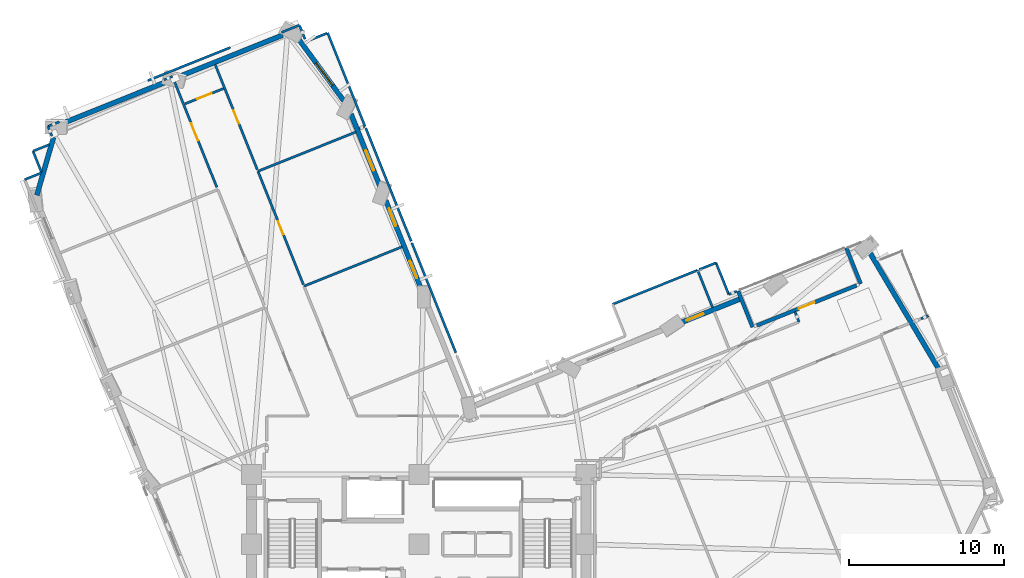
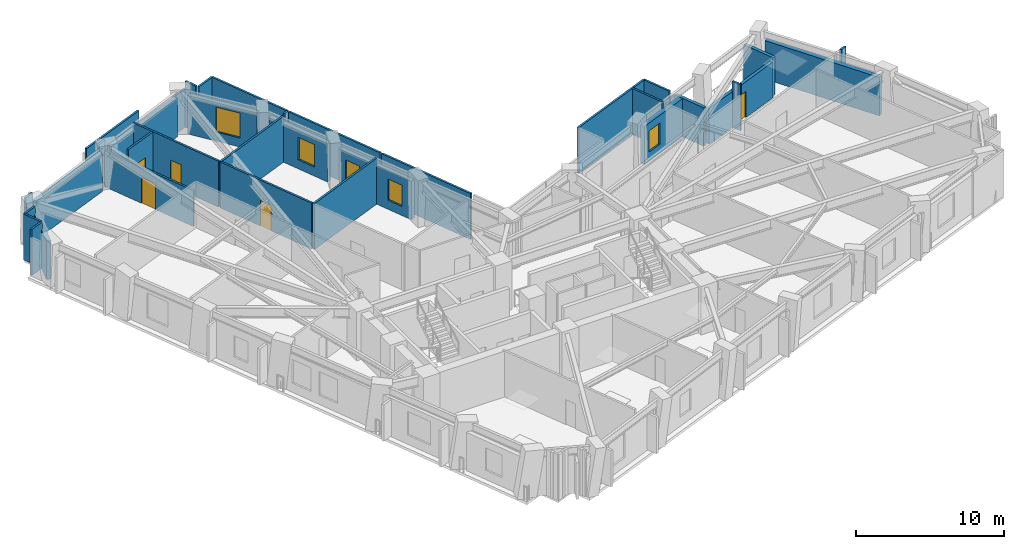
# One storey, part 11 of 16: 38 walls, 5 doors, 5 windows, 10 openings.
"""IFC4 building model written with IfcOpenShell, lengths in metres."""

import ifcopenshell
import ifcopenshell.guid

model = None  # the IFC model being written
_history = None  # IfcOwnerHistory: only IFC2X3 demands one
_inside = {}  # id of a spatial element -> (the spatial element, [elements in it])
_under = {}  # id of a project, library or spatial element -> (it, [spatial elements below it])
_declared = {}  # id of a project -> (the project, [libraries it declares])
_typed = {}  # id of a type object -> (the type object, [elements of that type])
_made_of = {}  # id of a material, layer set ... -> (it, [elements and type objects made of it])


def new_model(schema):
    """Start an empty IFC model of exactly this schema.

    Asked for "IFC4X3", IfcOpenShell would pick the latest addendum, in which some entities
    have other attributes; the version numbers below select the first issue.
    IFC2X3 requires an IfcOwnerHistory on every rooted entity: one is made here for all.
    """
    global model, _history
    if schema == "IFC4X3":
        model = ifcopenshell.file(schema_version=(4, 3, 0, 0))
    else:
        model = ifcopenshell.file(schema=schema)
    _inside.clear()
    _under.clear()
    _declared.clear()
    _typed.clear()
    _made_of.clear()
    _history = None
    if model.schema == "IFC2X3":
        org = make("IfcOrganization", Name="unknown")
        user = make(
            "IfcPersonAndOrganization",
            ThePerson=make("IfcPerson", FamilyName="unknown"),
            TheOrganization=org,
        )
        app = make(
            "IfcApplication",
            ApplicationDeveloper=org,
            Version="unknown",
            ApplicationFullName="unknown",
            ApplicationIdentifier="unknown",
        )
        _history = make(
            "IfcOwnerHistory",
            OwningUser=user,
            OwningApplication=app,
            ChangeAction="ADDED",
            CreationDate=0,
        )
    return model


def make(cls, **values):
    """One entity of the class cls with the attributes given. An attribute that is None is left unset."""
    return model.create_entity(
        cls, **{name: value for name, value in values.items() if value is not None}
    )


def rooted(cls, **values):
    """An entity with a GlobalId (a new one), such as an element, a storey or a relation."""
    return make(cls, GlobalId=ifcopenshell.guid.new(), OwnerHistory=_history, **values)


def si_unit(unit_type, name, prefix=None):
    """IfcSIUnit, for example si_unit("LENGTHUNIT", "METRE", prefix="MILLI")."""
    return make("IfcSIUnit", UnitType=unit_type, Prefix=prefix, Name=name)


def assignment(units):
    """IfcUnitAssignment: the units of a project."""
    return None if units is None else make("IfcUnitAssignment", Units=units)


def point(xyz):
    """IfcCartesianPoint."""
    return None if xyz is None else make("IfcCartesianPoint", Coordinates=xyz)


def direction(xyz):
    """IfcDirection."""
    return None if xyz is None else make("IfcDirection", DirectionRatios=xyz)


def frame(location, z_axis=None, x_axis=None):
    """IfcAxis2Placement3D, a coordinate frame: its origin and axes. An axis left out is left unset."""
    return make(
        "IfcAxis2Placement3D",
        Location=point(location),
        Axis=direction(z_axis),
        RefDirection=direction(x_axis),
    )


def frame_2d(location, x_axis=None):
    """IfcAxis2Placement2D, a coordinate frame in the plane: its origin and x axis."""
    return make(
        "IfcAxis2Placement2D", Location=point(location), RefDirection=direction(x_axis)
    )


def origin():
    """The frame at (0, 0, 0) with its axes left unset."""
    return frame((0.0, 0.0, 0.0))


def place(relative_to, where):
    """IfcLocalPlacement: puts the frame where relative to a parent placement (None: the world)."""
    return make(
        "IfcLocalPlacement", PlacementRelTo=relative_to, RelativePlacement=where
    )


def context(
    kind, dimensions, precision=None, world=None, true_north=None, identifier=None
):
    """IfcGeometricRepresentationContext, for example the 3D "Model" context."""
    return make(
        "IfcGeometricRepresentationContext",
        ContextIdentifier=identifier,
        ContextType=kind,
        CoordinateSpaceDimension=dimensions,
        Precision=precision,
        WorldCoordinateSystem=world,
        TrueNorth=true_north,
    )


def subcontext(parent, identifier, kind, view, scale=None):
    """IfcGeometricRepresentationSubContext, for example "Body" below "Model"."""
    return make(
        "IfcGeometricRepresentationSubContext",
        ContextIdentifier=identifier,
        ContextType=kind,
        ParentContext=parent,
        TargetScale=scale,
        TargetView=view,
    )


def project(units=None, contexts=None):
    """IfcProject with its units and contexts."""
    return rooted(
        "IfcProject",
        Name="project",
        RepresentationContexts=contexts,
        UnitsInContext=assignment(units),
    )


def spatial(cls, under=None, at=None, **own):
    """A site, building, storey or space (cls), placed at a placement, below another one or the project."""
    s = rooted(cls, ObjectPlacement=at, **own)
    if under is not None:
        _under.setdefault(under.id(), (under, []))[1].append(s)
    return s


def profile(cls, at=None, kind="AREA", **sizes):
    """A parametric profile (cls). Its sizes go by their IFC names, for example OverallWidth=200.0."""
    return make(cls, ProfileType=kind, Position=at, **sizes)


def rectangle(**sizes):
    """IfcRectangleProfileDef."""
    return profile("IfcRectangleProfileDef", **sizes)


def extrude(swept, where, along, depth):
    """IfcExtrudedAreaSolid: the profile swept, set in the frame where, extruded along a direction by depth."""
    return make(
        "IfcExtrudedAreaSolid",
        SweptArea=swept,
        Position=where,
        ExtrudedDirection=direction(along),
        Depth=depth,
    )


def shape(context_of_items, identifier, shape_type, items):
    """IfcShapeRepresentation: the items that make up one representation, for example the "Body"."""
    return make(
        "IfcShapeRepresentation",
        ContextOfItems=context_of_items,
        RepresentationIdentifier=identifier,
        RepresentationType=shape_type,
        Items=items,
    )


def material(Name=None, Category=None):
    """IfcMaterial."""
    return make("IfcMaterial", Name=Name, Category=Category)


def layer(
    of_material, thickness, ventilated=None, Name=None, Category=None, Priority=None
):
    """IfcMaterialLayer: one layer of a wall or slab, of a material (None: an air gap)."""
    return make(
        "IfcMaterialLayer",
        Material=of_material,
        LayerThickness=thickness,
        IsVentilated=ventilated,
        Name=Name,
        Category=Category,
        Priority=Priority,
    )


def layer_set(layers, Name=None):
    """IfcMaterialLayerSet."""
    return make("IfcMaterialLayerSet", MaterialLayers=layers, LayerSetName=Name)


def made_of(thing, what):
    """Note that an element or type object is made of a material, layer set ...; save() writes the relation."""
    if what is not None:
        _made_of.setdefault(what.id(), (what, []))[1].append(thing)
    return thing


def type_object(cls, material=None, **own):
    """A type object (cls), such as IfcWallType, which elements share."""
    return made_of(rooted(cls, **own), material)


def element(
    cls,
    number,
    at=None,
    inside=None,
    cuts=None,
    type_object=None,
    material=None,
    context=None,
    identifier="Body",
    shape_type=None,
    held_by="IfcProductDefinitionShape",
    body=None,
    shapes=None,
    **own,
):
    """One element of the class cls, such as IfcWall. Its Tag is "e" and its number.

    at: its placement. inside: the storey or other place that contains it. cuts: it is an
    opening in that element (IfcRelVoidsElement). A single representation is given by context,
    identifier, shape_type and body (its items); several are given by shapes. held_by: the class
    of the entity that holds the representations. save() writes the other relations.
    """
    e = rooted(cls, Tag="e%d" % number, ObjectPlacement=at, **own)
    if body is not None:
        shapes = [shape(context, identifier, shape_type, body)]
    if shapes is not None:
        e.Representation = make(held_by, Representations=shapes)
    if inside is not None:
        _inside.setdefault(inside.id(), (inside, []))[1].append(e)
    if cuts is not None:
        rooted(
            "IfcRelVoidsElement", RelatingBuildingElement=cuts, RelatedOpeningElement=e
        )
    if type_object is not None:
        _typed.setdefault(type_object.id(), (type_object, []))[1].append(e)
    return made_of(e, material)


def fill(opening, filler):
    """IfcRelFillsElement: the door or window that sits in an opening."""
    return rooted(
        "IfcRelFillsElement",
        RelatingOpeningElement=opening,
        RelatedBuildingElement=filler,
    )


def aggregate(whole, parts):
    """IfcRelAggregates: a whole, such as a stair, and the parts it consists of."""
    return rooted("IfcRelAggregates", RelatingObject=whole, RelatedObjects=parts)


def save(model, path):
    """Write the relations noted so far, then the file.

    IfcRelAggregates (storeys below a building ...), IfcRelContainedInSpatialStructure (elements
    in a storey), IfcRelDefinesByType, IfcRelAssociatesMaterial and IfcRelDeclares: one each for
    every whole, place, type object, material and project.
    """
    for whole, parts in _under.values():
        aggregate(whole, parts)
    for where, things in _inside.values():
        rooted(
            "IfcRelContainedInSpatialStructure",
            RelatedElements=things,
            RelatingStructure=where,
        )
    for kind, things in _typed.values():
        rooted("IfcRelDefinesByType", RelatedObjects=things, RelatingType=kind)
    for what, things in _made_of.values():
        rooted("IfcRelAssociatesMaterial", RelatedObjects=things, RelatingMaterial=what)
    for by, libraries in _declared.values():
        rooted("IfcRelDeclares", RelatingContext=by, RelatedDefinitions=libraries)
    model.write(path)


model = new_model("IFC4")

# Units and contexts
model_context = context("Model", 3, precision=1e-05, world=origin(), true_north=direction((0.0, 1.0)))
body_context = subcontext(model_context, "Body", "Model", "MODEL_VIEW")
ifc_project = project(units=[si_unit("LENGTHUNIT", "METRE"), si_unit("AREAUNIT", "SQUARE_METRE"), si_unit("VOLUMEUNIT", "CUBIC_METRE"), si_unit("PLANEANGLEUNIT", "RADIAN"), si_unit("MASSUNIT", "GRAM", prefix="KILO")], contexts=[model_context])

# Site, building, storey
site_placement = place(None, origin())
site = spatial("IfcSite", under=ifc_project, at=site_placement, CompositionType="ELEMENT")
building_placement = place(site_placement, origin())
building = spatial("IfcBuilding", under=site, at=building_placement, Name="Gaonmaruhae Medical Tower", CompositionType="ELEMENT")
storey_placement = place(building_placement, frame((0.0, 0.0, 116.39990234375)))
storey = spatial("IfcBuildingStorey", under=building, at=storey_placement, Name="L27", CompositionType="ELEMENT", Elevation=116.39990234375)

# Wall, opening, door
ifc_material_1 = material(Name="Precast concrete C45/55", Category="concrete")
ifc_layer_1 = layer(ifc_material_1, 0.239990234375)
ifc_layer_set_1 = layer_set([ifc_layer_1], Name="Precast concrete C45/55")
wall_type_1 = type_object("IfcWallType", Name="EW-240 Ribbon & Shelter Insulated Precast Wall", PredefinedType="SOLIDWALL", material=ifc_layer_set_1)
wall_1_placement = place(storey_placement, frame((46.602783203125, 26.415283203125, 0.0), z_axis=(0.0, 0.0, 1.0), x_axis=(0.928154607931, 0.372194873389, 0.0)))
wall_1 = element("IfcWall", 1, at=wall_1_placement, inside=storey, type_object=wall_type_1, Name="L27 Recessed Terrace Enclosure Wall TERB", PredefinedType="SOLIDWALL", context=body_context, shape_type="SweptSolid", body=[
    extrude(rectangle(XDim=6.960205078125, YDim=0.239990234375, at=frame_2d((3.47998046875, 0.0))), origin(), (0.0, 0.0, 1.0), 2.945068359375),
])
opening_1_placement = place(wall_1_placement, frame((2.929931640625, 0.0, 0.0)))
opening_1 = element("IfcOpeningElement", 2, at=opening_1_placement, cuts=wall_1, Name="Opening TD-01", PredefinedType="OPENING", context=body_context, shape_type="SweptSolid", body=[
    extrude(rectangle(XDim=1.10009765625, YDim=2.14990234375, at=frame_2d((0.550048828125, 1.074951171875))), frame((0.0, 0.1298828125, 0.0), z_axis=(0.0, -1.0, 0.0), x_axis=(1.0, 0.0, 0.0)), (0.0, 0.0, 1.0), 0.260009765625),
])
ifc_material_2 = material(Name="Anodised aluminium and toughened safety glass", Category="aluminium")
door_type_1 = type_object("IfcDoorType", Name="TD-01 Terrace & Sky Garden Glazed Door 1100x2150", OperationType="NOTDEFINED", PredefinedType="DOOR", material=ifc_material_2)
door_1_placement = place(opening_1_placement, origin())
door_1 = element("IfcDoor", 3, at=door_1_placement, inside=storey, type_object=door_type_1, Name="L27 Outdoor Terrace Access Door SLB-L27-TER", OperationType="SINGLE_SWING_LEFT", OverallHeight=2.14990234375, OverallWidth=1.10009765625, PredefinedType="DOOR", context=body_context, shape_type="SweptSolid", body=[
    extrude(rectangle(XDim=1.10009765625, YDim=2.14990234375, at=frame_2d((0.550048828125, 1.074951171875))), frame((0.0, 0.02490234375, 0.0), z_axis=(0.0, -1.0, 0.0), x_axis=(1.0, 0.0, 0.0)), (0.0, 0.0, 1.0), 0.050048828125),
])
fill(opening_1, door_1)

# Walls
for number, where, z_axis, x_axis, name in (
    (4, (45.41259765625, 28.631591796875, 0.0), (0.0, 0.0, 1.0), (0.372181923491, -0.928159800803, 0.0), "L27 Recessed Terrace Enclosure Wall TERL"),
    (5, (53.32275390625, 29.110107421875, 0.0), (0.0, 0.0, 1.0), (-0.372181923491, 0.928159800803, 0.0), "L27 Recessed Terrace Enclosure Wall TERR"),
):
    element("IfcWall", number, at=place(storey_placement, frame(where, z_axis=z_axis, x_axis=x_axis)), inside=storey, type_object=wall_type_1, Name=name, PredefinedType="SOLIDWALL", context=body_context, shape_type="SweptSolid", body=[
        extrude(rectangle(XDim=2.5, YDim=0.239990234375, at=frame_2d((1.25, 0.0))), origin(), (0.0, 0.0, 1.0), 3.1650390625),
    ])
ifc_layer_2 = layer(ifc_material_1, 0.320068359375)
ifc_layer_set_2 = layer_set([ifc_layer_2], Name="Precast concrete C45/55")
wall_type_2 = type_object("IfcWallType", Name="EW-320 Lower Precast Masonry-Frame Facade Wall", PredefinedType="SOLIDWALL", material=ifc_layer_set_2)
wall_2_placement = place(storey_placement, frame((53.897705078125, 31.140625, 0.0), z_axis=(0.0, 0.0, 1.0), x_axis=(0.50965320776, -0.860379920628, 0.0)))
element("IfcWall", 6, at=wall_2_placement, inside=storey, type_object=wall_type_2, Name="L27 Precast Masonry-Frame Wall E02-E03", PredefinedType="SOLIDWALL", context=body_context, shape_type="SweptSolid", body=[
    extrude(rectangle(XDim=8.837646484375, YDim=0.320068359375, at=frame_2d((4.4189453125, 0.0))), origin(), (0.0, 0.0, 1.0), 3.1650390625),
])

# Wall, opening, window
wall_3_placement = place(storey_placement, frame((41.623291015625, 26.562744140625, 0.0), z_axis=(0.0, 0.0, 1.0), x_axis=(0.928156727061, 0.372189588801, 0.0)))
wall_3 = element("IfcWall", 7, at=wall_3_placement, inside=storey, type_object=wall_type_2, Name="L27 Precast Masonry-Frame Wall EN01-EN02", PredefinedType="SOLIDWALL", context=body_context, shape_type="SweptSolid", body=[
    extrude(rectangle(XDim=4.26708984375, YDim=0.320068359375, at=frame_2d((2.133544921875, 0.0))), origin(), (0.0, 0.0, 1.0), 3.14501953125),
])
opening_2_placement = place(wall_3_placement, frame((0.4765625, 0.0, 0.75)))
opening_2 = element("IfcOpeningElement", 8, at=opening_2_placement, cuts=wall_3, Name="Opening WN-05", PredefinedType="OPENING", context=body_context, shape_type="SweptSolid", body=[
    extrude(rectangle(XDim=1.199951171875, YDim=1.75, at=frame_2d((0.60009765625, 0.875))), frame((0.0, 0.169921875, 0.0), z_axis=(0.0, -1.0, 0.0), x_axis=(1.0, 0.0, 0.0)), (0.0, 0.0, 1.0), 0.340087890625),
])
ifc_material_3 = material(Name="Anodised aluminium and Low-E double glazing", Category="aluminium")
window_type_1 = type_object("IfcWindowType", Name="WN-05 Support & Staff Punched Window 1200x1750", PartitioningType="SINGLE_PANEL", PredefinedType="WINDOW", material=ifc_material_3)
window_1_placement = place(opening_2_placement, origin())
window_1 = element("IfcWindow", 9, at=window_1_placement, inside=storey, type_object=window_type_1, Name="L27 Modular Facade Window EN01", OverallHeight=1.75, OverallWidth=1.199951171875, PartitioningType="SINGLE_PANEL", PredefinedType="WINDOW", context=body_context, shape_type="SweptSolid", body=[
    extrude(rectangle(XDim=1.199951171875, YDim=1.75, at=frame_2d((0.60009765625, 0.875))), frame((0.0, 0.030029296875, 0.0), z_axis=(0.0, -1.0, 0.0), x_axis=(1.0, 0.0, 0.0)), (0.0, 0.0, 1.0), 0.06005859375),
])
fill(opening_2, window_1)

# Wall, openings, windows
wall_4_placement = place(storey_placement, frame((22.659423828125, 34.4853515625, 0.0), z_axis=(0.0, 0.0, 1.0), x_axis=(0.372175226891, -0.928162486038, 0.0)))
wall_4 = element("IfcWall", 10, at=wall_4_placement, inside=storey, type_object=wall_type_2, Name="L27 Precast Masonry-Frame Wall NE01-NE02", PredefinedType="SOLIDWALL", context=body_context, shape_type="SweptSolid", body=[
    extrude(rectangle(XDim=6.22265625, YDim=0.320068359375, at=frame_2d((3.111328125, 0.0))), origin(), (0.0, 0.0, 1.0), 3.1650390625),
])
opening_3_placement = place(wall_4_placement, frame((4.19873046875, 0.0, 0.75)))
opening_3 = element("IfcOpeningElement", 11, at=opening_3_placement, cuts=wall_4, Name="Opening WN-05", PredefinedType="OPENING", context=body_context, shape_type="SweptSolid", body=[
    extrude(rectangle(XDim=1.199951171875, YDim=1.75, at=frame_2d((0.60009765625, 0.875))), frame((0.0, 0.169921875, 0.0), z_axis=(0.0, -1.0, 0.0), x_axis=(1.0, 0.0, 0.0)), (0.0, 0.0, 1.0), 0.340087890625),
])
opening_4_placement = place(wall_4_placement, frame((0.561279296875, 0.0, 0.75)))
opening_4 = element("IfcOpeningElement", 12, at=opening_4_placement, cuts=wall_4, Name="Opening WN-05", PredefinedType="OPENING", context=body_context, shape_type="SweptSolid", body=[
    extrude(rectangle(XDim=1.199951171875, YDim=1.75, at=frame_2d((0.60009765625, 0.875))), frame((0.0, 0.169921875, 0.0), z_axis=(0.0, -1.0, 0.0), x_axis=(1.0, 0.0, 0.0)), (0.0, 0.0, 1.0), 0.340087890625),
])
window_2_placement = place(opening_3_placement, origin())
window_2 = element("IfcWindow", 13, at=window_2_placement, inside=storey, type_object=window_type_1, Name="L27 Modular Facade Window NE01", OverallHeight=1.75, OverallWidth=1.199951171875, PartitioningType="SINGLE_PANEL", PredefinedType="WINDOW", context=body_context, shape_type="SweptSolid", body=[
    extrude(rectangle(XDim=1.199951171875, YDim=1.75, at=frame_2d((0.60009765625, 0.875))), frame((0.0, 0.030029296875, 0.0), z_axis=(0.0, -1.0, 0.0), x_axis=(1.0, 0.0, 0.0)), (0.0, 0.0, 1.0), 0.06005859375),
])
fill(opening_3, window_2)
window_3_placement = place(opening_4_placement, origin())
window_3 = element("IfcWindow", 14, at=window_3_placement, inside=storey, type_object=window_type_1, Name="L27 Modular Facade Window NE01B", OverallHeight=1.75, OverallWidth=1.199951171875, PartitioningType="SINGLE_PANEL", PredefinedType="WINDOW", context=body_context, shape_type="SweptSolid", body=[
    extrude(rectangle(XDim=1.199951171875, YDim=1.75, at=frame_2d((0.60009765625, 0.875))), frame((0.0, 0.030029296875, 0.0), z_axis=(0.0, -1.0, 0.0), x_axis=(1.0, 0.0, 0.0)), (0.0, 0.0, 1.0), 0.06005859375),
])
fill(opening_4, window_3)

# Wall, opening, window
wall_5_placement = place(storey_placement, frame((20.421142578125, 40.067138671875, 0.0), z_axis=(0.0, 0.0, 1.0), x_axis=(0.372174504676, -0.928162775632, 0.0)))
wall_5 = element("IfcWall", 15, at=wall_5_placement, inside=storey, type_object=wall_type_2, Name="L27 Precast Masonry-Frame Wall NE02-NE03", PredefinedType="SOLIDWALL", context=body_context, shape_type="SweptSolid", body=[
    extrude(rectangle(XDim=5.047119140625, YDim=0.320068359375, at=frame_2d((2.5234375, 0.0))), origin(), (0.0, 0.0, 1.0), 3.1650390625),
])
opening_5_placement = place(wall_5_placement, frame((2.5205078125, 0.0, 0.75)))
opening_5 = element("IfcOpeningElement", 16, at=opening_5_placement, cuts=wall_5, Name="Opening WN-03", PredefinedType="OPENING", context=body_context, shape_type="SweptSolid", body=[
    extrude(rectangle(XDim=1.39990234375, YDim=1.85009765625, at=frame_2d((0.699951171875, 0.925048828125))), frame((0.0, 0.169921875, 0.0), z_axis=(0.0, -1.0, 0.0), x_axis=(1.0, 0.0, 0.0)), (0.0, 0.0, 1.0), 0.340087890625),
])
window_type_2 = type_object("IfcWindowType", Name="WN-03 Isolation Ward Punched Window 1400x1850", PartitioningType="SINGLE_PANEL", PredefinedType="WINDOW", material=ifc_material_3)
window_4_placement = place(opening_5_placement, origin())
window_4 = element("IfcWindow", 17, at=window_4_placement, inside=storey, type_object=window_type_2, Name="L27 Modular Facade Window NE02", OverallHeight=1.85009765625, OverallWidth=1.39990234375, PartitioningType="SINGLE_PANEL", PredefinedType="WINDOW", context=body_context, shape_type="SweptSolid", body=[
    extrude(rectangle(XDim=1.39990234375, YDim=1.85009765625, at=frame_2d((0.699951171875, 0.925048828125))), frame((0.0, 0.030029296875, 0.0), z_axis=(0.0, -1.0, 0.0), x_axis=(1.0, 0.0, 0.0)), (0.0, 0.0, 1.0), 0.06005859375),
])
fill(opening_5, window_4)

wall_6_placement = place(storey_placement, frame((16.92724609375, 45.055908203125, 0.0), z_axis=(0.0, 0.0, 1.0), x_axis=(0.591043738805, -0.80663950983, 0.0)))
wall_6 = element("IfcWall", 18, at=wall_6_placement, inside=storey, type_object=wall_type_2, Name="L27 Precast Masonry-Frame Wall NE03-N01", PredefinedType="SOLIDWALL", context=body_context, shape_type="SweptSolid", body=[
    extrude(rectangle(XDim=5.128662109375, YDim=0.320068359375, at=frame_2d((2.564453125, 0.0))), origin(), (0.0, 0.0, 1.0), 3.1650390625),
])
opening_6_placement = place(wall_6_placement, frame((2.093505859375, 0.0, 0.75)))
opening_6 = element("IfcOpeningElement", 19, at=opening_6_placement, cuts=wall_6, Name="Opening WN-04", PredefinedType="OPENING", context=body_context, shape_type="SweptSolid", body=[
    extrude(rectangle(XDim=1.800048828125, YDim=2.050048828125, at=frame_2d((0.89990234375, 1.02490234375))), frame((0.0, 0.169921875, 0.0), z_axis=(0.0, -1.0, 0.0), x_axis=(1.0, 0.0, 0.0)), (0.0, 0.0, 1.0), 0.340087890625),
])
window_type_3 = type_object("IfcWindowType", Name="WN-04 Clinic & Consult Punched Window 1800x2050", PartitioningType="SINGLE_PANEL", PredefinedType="WINDOW", material=ifc_material_3)
window_5_placement = place(opening_6_placement, origin())
window_5 = element("IfcWindow", 20, at=window_5_placement, inside=storey, type_object=window_type_3, Name="L27 Modular Facade Window NE03", OverallHeight=2.050048828125, OverallWidth=1.800048828125, PartitioningType="SINGLE_PANEL", PredefinedType="WINDOW", context=body_context, shape_type="SweptSolid", body=[
    extrude(rectangle(XDim=1.800048828125, YDim=2.050048828125, at=frame_2d((0.89990234375, 1.02490234375))), frame((0.0, 0.030029296875, 0.0), z_axis=(0.0, -1.0, 0.0), x_axis=(1.0, 0.0, 0.0)), (0.0, 0.0, 1.0), 0.06005859375),
])
fill(opening_6, window_5)

# Walls
wall_7_placement = place(storey_placement, frame((9.29345703125, 42.473388671875, 0.0), z_axis=(0.0, 0.0, 1.0), x_axis=(0.928173670316, 0.372147333366, 0.0)))
element("IfcWall", 21, at=wall_7_placement, inside=storey, type_object=wall_type_2, Name="L27 Precast Masonry-Frame Wall N01-N02", PredefinedType="SOLIDWALL", context=body_context, shape_type="SweptSolid", body=[
    extrude(rectangle(XDim=7.230712890625, YDim=0.320068359375, at=frame_2d((3.615234375, 0.0))), origin(), (0.0, 0.0, 1.0), 3.1650390625),
])
wall_8_placement = place(storey_placement, frame((1.659912109375, 39.412353515625, 0.0), z_axis=(0.0, 0.0, 1.0), x_axis=(0.928159064782, 0.372183758999, 0.0)))
element("IfcWall", 22, at=wall_8_placement, inside=storey, type_object=wall_type_2, Name="L27 Precast Masonry-Frame Wall N02-N03", PredefinedType="SOLIDWALL", context=body_context, shape_type="SweptSolid", body=[
    extrude(rectangle(XDim=7.27001953125, YDim=0.320068359375, at=frame_2d((3.635009765625, 0.0))), origin(), (0.0, 0.0, 1.0), 3.1650390625),
])
wall_9_placement = place(storey_placement, frame((0.14013671875, 34.83056640625, 0.0), z_axis=(0.0, 0.0, 1.0), x_axis=(0.276925520659, 0.960891386166, 0.0)))
element("IfcWall", 23, at=wall_9_placement, inside=storey, type_object=wall_type_2, Name="L27 Precast Masonry-Frame Wall N03-W01", PredefinedType="SOLIDWALL", context=body_context, shape_type="SweptSolid", body=[
    extrude(rectangle(XDim=3.8896484375, YDim=0.320068359375, at=frame_2d((1.94482421875, 0.0))), origin(), (0.0, 0.0, 1.0), 3.1650390625),
])
ifc_material_4 = material(Name="Gypsum board partition", Category="gypsum")
ifc_layer_3 = layer(ifc_material_4, 0.14990234375)
ifc_layer_set_3 = layer_set([ifc_layer_3], Name="Gypsum board partition")
wall_type_3 = type_object("IfcWallType", Name="PW-150 Rated Clinical Corridor Partition", PredefinedType="PARTITIONING", material=ifc_layer_set_3)
wall_10_placement = place(storey_placement, frame((-0.114990234375, 37.677001953125, 0.0), z_axis=(0.0, 0.0, 1.0), x_axis=(0.928076953017, 0.372388465556, 0.0)))
element("IfcWall", 24, at=wall_10_placement, inside=storey, type_object=wall_type_3, Name="L27 Interior Partition L27-WOF10-56", PredefinedType="PARTITIONING", context=body_context, shape_type="SweptSolid", body=[
    extrude(rectangle(XDim=1.138671875, YDim=0.14990234375, at=frame_2d((0.5693359375, 0.0))), origin(), (0.0, 0.0, 1.0), 3.780029296875),
])
wall_11_placement = place(storey_placement, frame((1.111083984375, 38.652099609375, 0.0), z_axis=(0.0, 0.0, 1.0), x_axis=(-0.37251940051, 0.928024404983, 0.0)))
element("IfcWall", 25, at=wall_11_placement, inside=storey, type_object=wall_type_3, Name="L27 Interior Partition L27-WOF10-57", PredefinedType="PARTITIONING", context=body_context, shape_type="SweptSolid", body=[
    extrude(rectangle(XDim=0.671142578125, YDim=0.14990234375, at=frame_2d((0.33544921875, 0.0))), origin(), (0.0, 0.0, 1.0), 2.965087890625),
])
wall_12_placement = place(storey_placement, frame((0.861083984375, 39.27490234375, 0.0), z_axis=(0.0, 0.0, 1.0), x_axis=(0.92811522529, 0.37229306814, 0.0)))
element("IfcWall", 26, at=wall_12_placement, inside=storey, type_object=wall_type_3, Name="L27 Interior Partition L27-WOF10-58", PredefinedType="PARTITIONING", context=body_context, shape_type="SweptSolid", body=[
    extrude(rectangle(XDim=0.792724609375, YDim=0.14990234375, at=frame_2d((0.396484375, 0.0))), origin(), (0.0, 0.0, 1.0), 3.780029296875),
])
wall_13_placement = place(storey_placement, frame((8.344970703125, 42.27587890625, 0.0), z_axis=(0.0, 0.0, 1.0), x_axis=(0.9282178773, 0.372037057643, 0.0)))
element("IfcWall", 27, at=wall_13_placement, inside=storey, type_object=wall_type_3, Name="L27 Interior Partition L27-WOF10-59", PredefinedType="PARTITIONING", context=body_context, shape_type="SweptSolid", body=[
    extrude(rectangle(XDim=0.5859375, YDim=0.14990234375, at=frame_2d((0.29296875, 0.0))), origin(), (0.0, 0.0, 1.0), 3.780029296875),
])

# Wall, opening, door
wall_14_placement = place(storey_placement, frame((8.888916015625, 42.493896484375, 0.0), z_axis=(0.0, 0.0, 1.0), x_axis=(0.372253112899, -0.92813125146, 0.0)))
wall_14 = element("IfcWall", 28, at=wall_14_placement, inside=storey, type_object=wall_type_3, Name="L27 Interior Partition L27-WOF10-60", PredefinedType="PARTITIONING", context=body_context, shape_type="SweptSolid", body=[
    extrude(rectangle(XDim=7.710205078125, YDim=0.14990234375, at=frame_2d((3.85498046875, 0.0))), origin(), (0.0, 0.0, 1.0), 2.965087890625),
])
opening_7_placement = place(wall_14_placement, frame((3.2548828125, 0.0, 0.0)))
opening_7 = element("IfcOpeningElement", 29, at=opening_7_placement, cuts=wall_14, Name="Opening CD-02", PredefinedType="OPENING", context=body_context, shape_type="SweptSolid", body=[
    extrude(rectangle(XDim=1.199951171875, YDim=2.14990234375, at=frame_2d((0.60009765625, 1.074951171875))), frame((0.0, 0.0849609375, 0.0), z_axis=(0.0, -1.0, 0.0), x_axis=(1.0, 0.0, 0.0)), (0.0, 0.0, 1.0), 0.169921875),
])
ifc_material_5 = material(Name="Antimicrobial laminate timber fire door", Category="wood")
door_type_2 = type_object("IfcDoorType", Name="CD-02 Clinical Treatment & Procedure Door 1200x2150", OperationType="NOTDEFINED", PredefinedType="DOOR", material=ifc_material_5)
door_2_placement = place(opening_7_placement, origin())
door_2 = element("IfcDoor", 30, at=door_2_placement, inside=storey, type_object=door_type_2, Name="L27 Ward Physician Reporting Office Door", OperationType="SINGLE_SWING_LEFT", OverallHeight=2.14990234375, OverallWidth=1.199951171875, PredefinedType="DOOR", context=body_context, shape_type="SweptSolid", body=[
    extrude(rectangle(XDim=1.199951171875, YDim=2.14990234375, at=frame_2d((0.60009765625, 1.074951171875))), frame((0.0, 0.02490234375, 0.0), z_axis=(0.0, -1.0, 0.0), x_axis=(1.0, 0.0, 0.0)), (0.0, 0.0, 1.0), 0.050048828125),
])
fill(opening_7, door_2)

# Walls
wall_15_placement = place(storey_placement, frame((-0.652099609375, 35.845947265625, 0.0), z_axis=(0.0, 0.0, 1.0), x_axis=(0.92825703939, 0.371939334869, 0.0)))
element("IfcWall", 31, at=wall_15_placement, inside=storey, type_object=wall_type_3, Name="L27 Interior Partition L27-WOF10-62", PredefinedType="PARTITIONING", context=body_context, shape_type="SweptSolid", body=[
    extrude(rectangle(XDim=1.150634765625, YDim=0.14990234375, at=frame_2d((0.5751953125, 0.0))), origin(), (0.0, 0.0, 1.0), 3.780029296875),
])
wall_16_placement = place(storey_placement, frame((0.428955078125, 36.321044921875, 0.0), z_axis=(0.0, 0.0, 1.0), x_axis=(-0.372312458111, 0.928107447193, 0.0)))
element("IfcWall", 32, at=wall_16_placement, inside=storey, type_object=wall_type_3, Name="L27 Interior Partition L27-WOF10-63", PredefinedType="PARTITIONING", context=body_context, shape_type="SweptSolid", body=[
    extrude(rectangle(XDim=1.4609375, YDim=0.14990234375, at=frame_2d((0.73046875, 0.0))), origin(), (0.0, 0.0, 1.0), 3.780029296875),
])
wall_17_placement = place(storey_placement, frame((37.302001953125, 27.79296875, 0.0), z_axis=(0.0, 0.0, 1.0), x_axis=(0.92816603235, 0.372166382673, 0.0)))
element("IfcWall", 33, at=wall_17_placement, inside=storey, type_object=wall_type_3, Name="L27 Interior Partition L27-IE02-75", PredefinedType="PARTITIONING", context=body_context, shape_type="SweptSolid", body=[
    extrude(rectangle(XDim=5.913818359375, YDim=0.14990234375, at=frame_2d((2.95703125, 0.0))), origin(), (0.0, 0.0, 1.0), 3.780029296875),
])
wall_18_placement = place(storey_placement, frame((42.791015625, 29.993896484375, 0.0), z_axis=(0.0, 0.0, 1.0), x_axis=(0.372082805239, -0.928199539994, 0.0)))
element("IfcWall", 34, at=wall_18_placement, inside=storey, type_object=wall_type_3, Name="L27 Interior Partition L27-IE02-76", PredefinedType="PARTITIONING", context=body_context, shape_type="SweptSolid", body=[
    extrude(rectangle(XDim=2.61474609375, YDim=0.14990234375, at=frame_2d((1.307373046875, 0.0))), origin(), (0.0, 0.0, 1.0), 3.780029296875),
])
wall_19_placement = place(storey_placement, frame((49.0791015625, 27.305908203125, 0.0), z_axis=(0.0, 0.0, 1.0), x_axis=(0.373122259618, -0.927782183154, 0.0)))
element("IfcWall", 35, at=wall_19_placement, inside=storey, type_object=wall_type_3, Name="L27 Interior Partition L27-IE03-80", PredefinedType="PARTITIONING", context=body_context, shape_type="SweptSolid", body=[
    extrude(rectangle(XDim=0.70458984375, YDim=0.14990234375, at=frame_2d((0.352294921875, 0.0))), origin(), (0.0, 0.0, 1.0), 3.780029296875),
])
wall_20_placement = place(storey_placement, frame((42.903076171875, 30.0390625, 0.0), z_axis=(0.0, 0.0, 1.0), x_axis=(0.928173075603, 0.372148816639, 0.0)))
element("IfcWall", 36, at=wall_20_placement, inside=storey, type_object=wall_type_3, Name="L27 Interior Partition L27-IE03-82", PredefinedType="PARTITIONING", context=body_context, shape_type="SweptSolid", body=[
    extrude(rectangle(XDim=1.165771484375, YDim=0.14990234375, at=frame_2d((0.5830078125, 0.0))), origin(), (0.0, 0.0, 1.0), 3.780029296875),
])
wall_21_placement = place(storey_placement, frame((43.985107421875, 30.472900390625, 0.0), z_axis=(0.0, 0.0, 1.0), x_axis=(0.372194114706, -0.928154912166, 0.0)))
element("IfcWall", 37, at=wall_21_placement, inside=storey, type_object=wall_type_3, Name="L27 Interior Partition L27-IE03-83", PredefinedType="PARTITIONING", context=body_context, shape_type="SweptSolid", body=[
    extrude(rectangle(XDim=2.199951171875, YDim=0.14990234375, at=frame_2d((1.10009765625, 0.0))), origin(), (0.0, 0.0, 1.0), 3.780029296875),
])
wall_22_placement = place(storey_placement, frame((44.803955078125, 28.430908203125, 0.0), z_axis=(0.0, 0.0, 1.0), x_axis=(0.928233315821, 0.371998536825, 0.0)))
element("IfcWall", 38, at=wall_22_placement, inside=storey, type_object=wall_type_3, Name="L27 Interior Partition L27-IE03-84", PredefinedType="PARTITIONING", context=body_context, shape_type="SweptSolid", body=[
    extrude(rectangle(XDim=0.553955078125, YDim=0.14990234375, at=frame_2d((0.27685546875, 0.0))), origin(), (0.0, 0.0, 1.0), 3.14501953125),
])
wall_23_placement = place(storey_placement, frame((17.386962890625, 28.9599609375, 0.0), z_axis=(0.0, 0.0, 1.0), x_axis=(0.928184887564, 0.372119355178, 0.0)))
element("IfcWall", 39, at=wall_23_placement, inside=storey, type_object=wall_type_3, Name="L27 Interior Partition L27-IN01-86", PredefinedType="PARTITIONING", context=body_context, shape_type="SweptSolid", body=[
    extrude(rectangle(XDim=6.8154296875, YDim=0.14990234375, at=frame_2d((3.40771484375, 0.0))), origin(), (0.0, 0.0, 1.0), 3.780029296875),
])
wall_24_placement = place(storey_placement, frame((24.347900390625, 31.7509765625, 0.0), z_axis=(0.0, 0.0, 1.0), x_axis=(0.372256126865, -0.928130042619, 0.0)))
element("IfcWall", 40, at=wall_24_placement, inside=storey, type_object=wall_type_3, Name="L27 Interior Partition L27-IN01-87", PredefinedType="PARTITIONING", context=body_context, shape_type="SweptSolid", body=[
    extrude(rectangle(XDim=7.634521484375, YDim=0.14990234375, at=frame_2d((3.8173828125, 0.0))), origin(), (0.0, 0.0, 1.0), 3.780029296875),
])

# Wall, opening, door
wall_25_placement = place(storey_placement, frame((17.342041015625, 29.071044921875, 0.0), z_axis=(0.0, 0.0, 1.0), x_axis=(-0.372155371127, 0.928170447569, 0.0)))
wall_25 = element("IfcWall", 41, at=wall_25_placement, inside=storey, type_object=wall_type_3, Name="L27 Interior Partition L27-IN02-88", PredefinedType="PARTITIONING", context=body_context, shape_type="SweptSolid", body=[
    extrude(rectangle(XDim=7.870361328125, YDim=0.14990234375, at=frame_2d((3.93505859375, 0.0))), origin(), (0.0, 0.0, 1.0), 3.780029296875),
])
opening_8_placement = place(wall_25_placement, frame((3.47509765625, 0.0, 0.0)))
opening_8 = element("IfcOpeningElement", 42, at=opening_8_placement, cuts=wall_25, Name="Opening UD-01", PredefinedType="OPENING", context=body_context, shape_type="SweptSolid", body=[
    extrude(rectangle(XDim=0.919921875, YDim=2.10009765625, at=frame_2d((0.4599609375, 1.050048828125))), frame((0.0, 0.0849609375, 0.0), z_axis=(0.0, -1.0, 0.0), x_axis=(1.0, 0.0, 0.0)), (0.0, 0.0, 1.0), 0.169921875),
])
ifc_material_6 = material(Name="Powder-coated steel utility door", Category="steel")
door_type_3 = type_object("IfcDoorType", Name="UD-01 Toilet, Utility & Housekeeping Door 920x2100", OperationType="NOTDEFINED", PredefinedType="DOOR", material=ifc_material_6)
door_3_placement = place(opening_8_placement, origin())
door_3 = element("IfcDoor", 43, at=door_3_placement, inside=storey, type_object=door_type_3, Name="L27 Ward Nutrition Pantry Door", OperationType="SINGLE_SWING_LEFT", OverallHeight=2.10009765625, OverallWidth=0.919921875, PredefinedType="DOOR", context=body_context, shape_type="SweptSolid", body=[
    extrude(rectangle(XDim=0.919921875, YDim=2.10009765625, at=frame_2d((0.4599609375, 1.050048828125))), frame((0.0, 0.02490234375, 0.0), z_axis=(0.0, -1.0, 0.0), x_axis=(1.0, 0.0, 0.0)), (0.0, 0.0, 1.0), 0.050048828125),
])
fill(opening_8, door_3)

# Walls
wall_26_placement = place(storey_placement, frame((14.4130859375, 36.3759765625, 0.0), z_axis=(0.0, 0.0, 1.0), x_axis=(0.928184887564, 0.372119355178, 0.0)))
element("IfcWall", 44, at=wall_26_placement, inside=storey, type_object=wall_type_3, Name="L27 Interior Partition L27-IN02-89", PredefinedType="PARTITIONING", context=body_context, shape_type="SweptSolid", body=[
    extrude(rectangle(XDim=6.8154296875, YDim=0.14990234375, at=frame_2d((3.40771484375, 0.0))), origin(), (0.0, 0.0, 1.0), 3.780029296875),
])
wall_27_placement = place(storey_placement, frame((21.375, 39.1669921875, 0.0), z_axis=(0.0, 0.0, 1.0), x_axis=(0.372155371127, -0.928170447569, 0.0)))
element("IfcWall", 45, at=wall_27_placement, inside=storey, type_object=wall_type_3, Name="L27 Interior Partition L27-IN02-90", PredefinedType="PARTITIONING", context=body_context, shape_type="SweptSolid", body=[
    extrude(rectangle(XDim=7.870361328125, YDim=0.14990234375, at=frame_2d((3.93505859375, 0.0))), origin(), (0.0, 0.0, 1.0), 3.780029296875),
])
wall_28_placement = place(storey_placement, frame((18.9130859375, 45.306884765625, 0.0), z_axis=(0.0, 0.0, 1.0), x_axis=(0.372116390733, -0.928186076036, 0.0)))
element("IfcWall", 46, at=wall_28_placement, inside=storey, type_object=wall_type_3, Name="L27 Interior Partition L27-IN03-91", PredefinedType="PARTITIONING", context=body_context, shape_type="SweptSolid", body=[
    extrude(rectangle(XDim=6.495361328125, YDim=0.14990234375, at=frame_2d((3.24755859375, 0.0))), origin(), (0.0, 0.0, 1.0), 3.780029296875),
])
wall_29_placement = place(storey_placement, frame((21.283935546875, 39.259033203125, 0.0), z_axis=(0.0, 0.0, 1.0), x_axis=(-0.928983565378, -0.370120973814, 0.0)))
element("IfcWall", 47, at=wall_29_placement, inside=storey, type_object=wall_type_3, Name="L27 Interior Partition L27-IN03-92", PredefinedType="PARTITIONING", context=body_context, shape_type="SweptSolid", body=[
    extrude(rectangle(XDim=0.36474609375, YDim=0.14990234375, at=frame_2d((0.182373046875, 0.0))), origin(), (0.0, 0.0, 1.0), 3.780029296875),
])

# Wall, opening, door
wall_30_placement = place(storey_placement, frame((14.368896484375, 36.487060546875, 0.0), z_axis=(0.0, 0.0, 1.0), x_axis=(-0.372213948796, 0.928146958365, 0.0)))
wall_30 = element("IfcWall", 48, at=wall_30_placement, inside=storey, type_object=wall_type_3, Name="L27 Interior Partition L27-IN03-93", PredefinedType="PARTITIONING", context=body_context, shape_type="SweptSolid", body=[
    extrude(rectangle(XDim=7.31005859375, YDim=0.14990234375, at=frame_2d((3.655029296875, 0.0))), origin(), (0.0, 0.0, 1.0), 3.780029296875),
])
opening_9_placement = place(wall_30_placement, frame((3.195068359375, 0.0, 0.0)))
opening_9 = element("IfcOpeningElement", 49, at=opening_9_placement, cuts=wall_30, Name="Opening UD-01", PredefinedType="OPENING", context=body_context, shape_type="SweptSolid", body=[
    extrude(rectangle(XDim=0.919921875, YDim=2.10009765625, at=frame_2d((0.4599609375, 1.050048828125))), frame((0.0, 0.0849609375, 0.0), z_axis=(0.0, -1.0, 0.0), x_axis=(1.0, 0.0, 0.0)), (0.0, 0.0, 1.0), 0.169921875),
])
door_4_placement = place(opening_9_placement, origin())
door_4 = element("IfcDoor", 50, at=door_4_placement, inside=storey, type_object=door_type_3, Name="L27 Public Visitor Toilet Door", OperationType="SINGLE_SWING_LEFT", OverallHeight=2.10009765625, OverallWidth=0.919921875, PredefinedType="DOOR", context=body_context, shape_type="SweptSolid", body=[
    extrude(rectangle(XDim=0.919921875, YDim=2.10009765625, at=frame_2d((0.4599609375, 1.050048828125))), frame((0.0, 0.02490234375, 0.0), z_axis=(0.0, -1.0, 0.0), x_axis=(1.0, 0.0, 0.0)), (0.0, 0.0, 1.0), 0.050048828125),
])
fill(opening_9, door_4)

# Walls
wall_31_placement = place(storey_placement, frame((15.93408203125, 45.341064453125, 0.0), z_axis=(0.0, 0.0, 1.0), x_axis=(0.928180478143, 0.372130353498, 0.0)))
element("IfcWall", 51, at=wall_31_placement, inside=storey, type_object=wall_type_3, Name="L27 Interior Partition L27-IN03-94", PredefinedType="PARTITIONING", context=body_context, shape_type="SweptSolid", body=[
    extrude(rectangle(XDim=1.251708984375, YDim=0.14990234375, at=frame_2d((0.6259765625, 0.0))), origin(), (0.0, 0.0, 1.0), 3.1650390625),
])
wall_32_placement = place(storey_placement, frame((17.114990234375, 45.760986328125, 0.0), z_axis=(0.0, 0.0, 1.0), x_axis=(0.371436649195, -0.928458300429, 0.0)))
element("IfcWall", 52, at=wall_32_placement, inside=storey, type_object=wall_type_3, Name="L27 Interior Partition L27-IN03-95", PredefinedType="PARTITIONING", context=body_context, shape_type="SweptSolid", body=[
    extrude(rectangle(XDim=0.91552734375, YDim=0.14990234375, at=frame_2d((0.457763671875, 0.0))), origin(), (0.0, 0.0, 1.0), 3.780029296875),
])
wall_33_placement = place(storey_placement, frame((17.52001953125, 44.7490234375, 0.0), z_axis=(0.0, 0.0, 1.0), x_axis=(0.928407040991, 0.371564753763, 0.0)))
element("IfcWall", 53, at=wall_33_placement, inside=storey, type_object=wall_type_3, Name="L27 Interior Partition L27-IN03-96", PredefinedType="PARTITIONING", context=body_context, shape_type="SweptSolid", body=[
    extrude(rectangle(XDim=1.45068359375, YDim=0.14990234375, at=frame_2d((0.725341796875, 0.0))), origin(), (0.0, 0.0, 1.0), 3.780029296875),
])

# Wall, opening, door
wall_34_placement = place(storey_placement, frame((12.19189453125, 41.714111328125, 0.0), z_axis=(0.0, 0.0, 1.0), x_axis=(-0.930010784607, -0.36753223058, 0.0)))
wall_34 = element("IfcWall", 54, at=wall_34_placement, inside=storey, type_object=wall_type_3, Name="L27 Interior Partition L27-RM01-97", PredefinedType="PARTITIONING", context=body_context, shape_type="SweptSolid", body=[
    extrude(rectangle(XDim=2.675048828125, YDim=0.14990234375, at=frame_2d((1.33740234375, 0.0))), origin(), (0.0, 0.0, 1.0), 3.780029296875),
])
opening_10_placement = place(wall_34_placement, frame((0.837646484375, 0.0, 0.0)))
opening_10 = element("IfcOpeningElement", 55, at=opening_10_placement, cuts=wall_34, Name="Opening CD-01", PredefinedType="OPENING", context=body_context, shape_type="SweptSolid", body=[
    extrude(rectangle(XDim=1.0, YDim=2.1201171875, at=frame_2d((0.5, 1.06005859375))), frame((0.0, 0.0849609375, 0.0), z_axis=(0.0, -1.0, 0.0), x_axis=(1.0, 0.0, 0.0)), (0.0, 0.0, 1.0), 0.169921875),
])
door_type_4 = type_object("IfcDoorType", Name="CD-01 Consultation & Physician Office Door 1000x2120", OperationType="NOTDEFINED", PredefinedType="DOOR", material=ifc_material_5)
door_5_placement = place(opening_10_placement, origin())
door_5 = element("IfcDoor", 56, at=door_5_placement, inside=storey, type_object=door_type_4, Name="L27 Clinical Case Review Office Door", OperationType="SINGLE_SWING_RIGHT", OverallHeight=2.1201171875, OverallWidth=1.0, PredefinedType="DOOR", context=body_context, shape_type="SweptSolid", body=[
    extrude(rectangle(XDim=1.0, YDim=2.1201171875, at=frame_2d((0.5, 1.06005859375))), frame((0.0, 0.02490234375, 0.0), z_axis=(0.0, -1.0, 0.0), x_axis=(1.0, 0.0, 0.0)), (0.0, 0.0, 1.0), 0.050048828125),
])
fill(opening_10, door_5)

# Walls
wall_35_placement = place(storey_placement, frame((7.302001953125, 42.235107421875, 0.0), z_axis=(0.0, 0.0, 1.0), x_axis=(0.928186012977, 0.372116548024, 0.0)))
element("IfcWall", 57, at=wall_35_placement, inside=storey, type_object=wall_type_3, Name="L27 Interior Partition L27-RM01-98", PredefinedType="PARTITIONING", context=body_context, shape_type="SweptSolid", body=[
    extrude(rectangle(XDim=5.739990234375, YDim=0.14990234375, at=frame_2d((2.8701171875, 0.0))), origin(), (0.0, 0.0, 1.0), 3.780029296875),
])
wall_36_placement = place(storey_placement, frame((57.2109375, 26.85498046875, 0.0), z_axis=(0.0, 0.0, 1.0), x_axis=(0.927925945016, 0.372764591353, 0.0)))
element("IfcWall", 58, at=wall_36_placement, inside=storey, type_object=wall_type_3, Name="L27 Interior Partition L27-RM03-109", PredefinedType="PARTITIONING", context=body_context, shape_type="SweptSolid", body=[
    extrude(rectangle(XDim=0.520751953125, YDim=0.14990234375, at=frame_2d((0.26025390625, 0.0))), origin(), (0.0, 0.0, 1.0), 3.780029296875),
])

save(model, "model.ifc")
